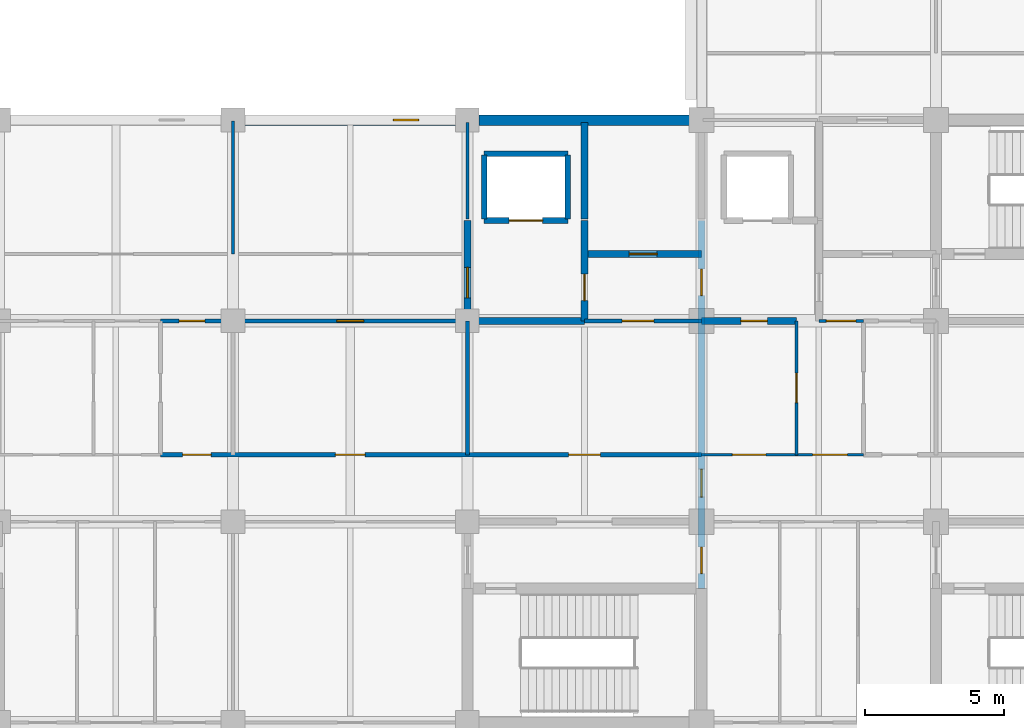
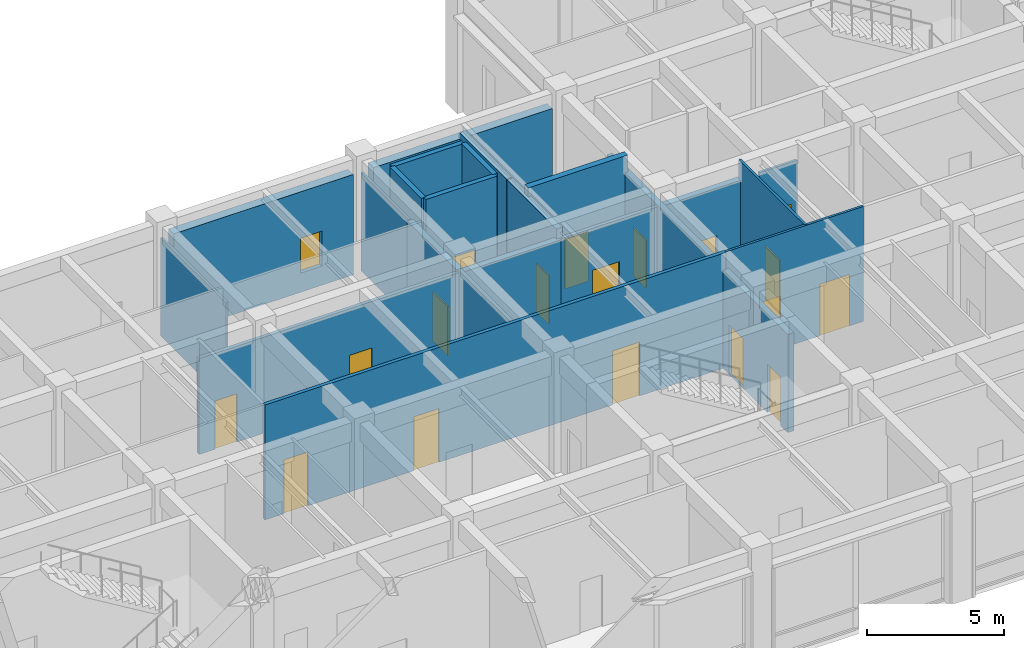
# One storey, part 44 of 68: 22 walls, 18 doors, 1 window, 19 openings.
"""IFC4 building model written with IfcOpenShell, lengths in metres."""

from ifc_helpers import new_model, si_unit, direction, frame, frame_2d, origin, place, context, subcontext, project, spatial, rectangle, extrude, material, layer, layer_set, type_object, element, fill, save


model = new_model("IFC4")

# Units and contexts
model_context = context("Model", 3, precision=1e-05, world=origin(), true_north=direction((0.0, 1.0)))
body_context = subcontext(model_context, "Body", "Model", "MODEL_VIEW")
ifc_project = project(units=[si_unit("LENGTHUNIT", "METRE"), si_unit("AREAUNIT", "SQUARE_METRE"), si_unit("VOLUMEUNIT", "CUBIC_METRE"), si_unit("PLANEANGLEUNIT", "RADIAN"), si_unit("MASSUNIT", "GRAM", prefix="KILO")], contexts=[model_context])

# Site, building, storey
site_placement = place(None, origin())
site = spatial("IfcSite", under=ifc_project, at=site_placement, CompositionType="ELEMENT")
building_placement = place(site_placement, origin())
building = spatial("IfcBuilding", under=site, at=building_placement, Name="Chengyuan Square Courthouse", CompositionType="ELEMENT")
storey_placement = place(building_placement, frame((0.0, 0.0, 5.39990234375)))
storey = spatial("IfcBuildingStorey", under=building, at=storey_placement, Name="L02", CompositionType="ELEMENT", Elevation=5.39990234375)

# Wall, opening, window
ifc_material_1 = material(Name="Concrete C40", Category="concrete")
ifc_layer_1 = layer(ifc_material_1, 0.3798828125)
ifc_layer_set_1 = layer_set([ifc_layer_1], Name="Concrete C40")
wall_type_1 = type_object("IfcWallType", Name="WL-EW1", PredefinedType="STANDARD", material=ifc_layer_set_1)
wall_1_placement = place(storey_placement, frame((34.02001953125, 108.0, 0.0), z_axis=(0.0, 0.0, 1.0), x_axis=(1.0, 0.0, 0.0)))
wall_1 = element("IfcWall", 1, at=wall_1_placement, inside=storey, type_object=wall_type_1, Name="Exterior Wall WL-L02-E225", PredefinedType="STANDARD", context=body_context, shape_type="SweptSolid", body=[
    extrude(rectangle(XDim=7.56005859375, YDim=0.3798828125, at=frame_2d((3.780029296875, 0.0))), origin(), (0.0, 0.0, 1.0), 4.47021484375),
])
opening_1_placement = place(wall_1_placement, frame((5.330078125, 0.0, 0.85009765625)))
opening_1 = element("IfcOpeningElement", 2, at=opening_1_placement, cuts=wall_1, Name="Opening WN-038", PredefinedType="OPENING", context=body_context, shape_type="SweptSolid", body=[
    extrude(rectangle(XDim=0.89990234375, YDim=1.56005859375, at=frame_2d((0.449951171875, 0.780029296875))), frame((0.0, 0.201904296875, 0.0), z_axis=(0.0, -1.0, 0.0), x_axis=(1.0, 0.0, 0.0)), (0.0, 0.0, 1.0), 0.40380859375),
])
ifc_material_2 = material(Name="Thermally Broken Aluminium Triple Low-E Window", Category="aluminium")
window_type = type_object("IfcWindowType", Name="WT-03", PartitioningType="SINGLE_PANEL", PredefinedType="WINDOW", material=ifc_material_2)
window_placement = place(opening_1_placement, origin())
window = element("IfcWindow", 3, at=window_placement, inside=storey, type_object=window_type, Name="Facade Window WN-038", OverallHeight=1.56005859375, OverallWidth=0.89990234375, PartitioningType="SINGLE_PANEL", PredefinedType="WINDOW", context=body_context, shape_type="SweptSolid", body=[
    extrude(rectangle(XDim=0.89990234375, YDim=1.56005859375, at=frame_2d((0.449951171875, 0.780029296875))), frame((0.0, 0.030029296875, 0.0), z_axis=(0.0, -1.0, 0.0), x_axis=(1.0, 0.0, 0.0)), (0.0, 0.0, 1.0), 0.06005859375),
])
fill(opening_1, window)

# Walls
wall_2_placement = place(storey_placement, frame((42.419921875, 108.0, 0.0), z_axis=(0.0, 0.0, 1.0), x_axis=(1.0, 0.0, 0.0)))
element("IfcWall", 4, at=wall_2_placement, inside=storey, type_object=wall_type_1, Name="Exterior Wall WL-L02-E226", PredefinedType="STANDARD", context=body_context, shape_type="SweptSolid", body=[
    extrude(rectangle(XDim=7.53515625, YDim=0.3798828125, at=frame_2d((3.767578125, 0.0))), origin(), (0.0, 0.0, 1.0), 4.47021484375),
])
ifc_layer_2 = layer(ifc_material_1, 0.25)
ifc_layer_set_2 = layer_set([ifc_layer_2], Name="Concrete C40")
wall_type_2 = type_object("IfcWallType", Name="WL-FW1", PredefinedType="STANDARD", material=ifc_layer_set_2)
wall_3_placement = place(storey_placement, frame((42.0, 100.800048828125, 0.0), z_axis=(0.0, 0.0, 1.0), x_axis=(1.0, 0.0, 0.0)))
element("IfcWall", 5, at=wall_3_placement, inside=storey, type_object=wall_type_2, Name="Interior Wall WL-L02-I1130", PredefinedType="STANDARD", context=body_context, shape_type="SweptSolid", body=[
    extrude(rectangle(XDim=4.199951171875, YDim=0.25, at=frame_2d((2.10009765625, 0.0))), origin(), (0.0, 0.0, 1.0), 4.27001953125),
])

# Wall, opening, door
wall_4_placement = place(storey_placement, frame((50.39990234375, 100.800048828125, 0.0), z_axis=(0.0, 0.0, 1.0), x_axis=(1.0, 0.0, 0.0)))
wall_4 = element("IfcWall", 6, at=wall_4_placement, inside=storey, type_object=wall_type_2, Name="Interior Wall WL-L02-I1132", PredefinedType="STANDARD", context=body_context, shape_type="SweptSolid", body=[
    extrude(rectangle(XDim=3.400146484375, YDim=0.25, at=frame_2d((1.7001953125, 0.0))), origin(), (0.0, 0.0, 1.0), 4.27001953125),
])
opening_2_placement = place(wall_4_placement, frame((1.409912109375, 0.0, 0.0)))
opening_2 = element("IfcOpeningElement", 7, at=opening_2_placement, cuts=wall_4, Name="Opening DR-1065", PredefinedType="OPENING", context=body_context, shape_type="SweptSolid", body=[
    extrude(rectangle(XDim=0.949951171875, YDim=2.14990234375, at=frame_2d((0.47509765625, 1.074951171875))), frame((0.0, 0.136962890625, 0.0), z_axis=(0.0, -1.0, 0.0), x_axis=(1.0, 0.0, 0.0)), (0.0, 0.0, 1.0), 0.27392578125),
])
ifc_material_3 = material(Name="Steel Q235B Fire Door", Category="steel")
door_type_1 = type_object("IfcDoorType", Name="DT-12", OperationType="NOTDEFINED", PredefinedType="DOOR", material=ifc_material_3)
door_1_placement = place(opening_2_placement, origin())
door_1 = element("IfcDoor", 8, at=door_1_placement, inside=storey, type_object=door_type_1, Name="Interior Door DR-1065", OperationType="SINGLE_SWING_RIGHT", OverallHeight=2.14990234375, OverallWidth=0.949951171875, PredefinedType="DOOR", context=body_context, shape_type="SweptSolid", body=[
    extrude(rectangle(XDim=0.949951171875, YDim=2.14990234375, at=frame_2d((0.47509765625, 1.074951171875))), frame((0.0, 0.02490234375, 0.0), z_axis=(0.0, -1.0, 0.0), x_axis=(1.0, 0.0, 0.0)), (0.0, 0.0, 1.0), 0.050048828125),
])
fill(opening_2, door_1)

wall_5_placement = place(storey_placement, frame((46.199951171875, 103.199951171875, 0.0), z_axis=(0.0, 0.0, 1.0), x_axis=(1.0, 0.0, 0.0)))
wall_5 = element("IfcWall", 9, at=wall_5_placement, inside=storey, type_object=wall_type_2, Name="Interior Wall WL-L02-I1153", PredefinedType="STANDARD", context=body_context, shape_type="SweptSolid", body=[
    extrude(rectangle(XDim=4.199951171875, YDim=0.25, at=frame_2d((2.10009765625, 0.0))), origin(), (0.0, 0.0, 1.0), 5.1201171875),
])
opening_3_placement = place(wall_5_placement, frame((1.60009765625, 0.0, 0.0)))
opening_3 = element("IfcOpeningElement", 10, at=opening_3_placement, cuts=wall_5, Name="Opening DR-1049", PredefinedType="OPENING", context=body_context, shape_type="SweptSolid", body=[
    extrude(rectangle(XDim=1.0, YDim=2.199951171875, at=frame_2d((0.5, 1.10009765625))), frame((0.0, 0.136962890625, 0.0), z_axis=(0.0, -1.0, 0.0), x_axis=(1.0, 0.0, 0.0)), (0.0, 0.0, 1.0), 0.27392578125),
])
door_type_2 = type_object("IfcDoorType", Name="DT-11", OperationType="NOTDEFINED", PredefinedType="DOOR", material=ifc_material_3)
door_2_placement = place(opening_3_placement, origin())
door_2 = element("IfcDoor", 11, at=door_2_placement, inside=storey, type_object=door_type_2, Name="Interior Door DR-1049", OperationType="SINGLE_SWING_LEFT", OverallHeight=2.199951171875, OverallWidth=1.0, PredefinedType="DOOR", context=body_context, shape_type="SweptSolid", body=[
    extrude(rectangle(XDim=1.0, YDim=2.199951171875, at=frame_2d((0.5, 1.10009765625))), frame((0.0, 0.02490234375, 0.0), z_axis=(0.0, -1.0, 0.0), x_axis=(1.0, 0.0, 0.0)), (0.0, 0.0, 1.0), 0.050048828125),
])
fill(opening_3, door_2)

wall_6_placement = place(storey_placement, frame((42.0, 100.800048828125, 0.0), z_axis=(0.0, 0.0, 1.0), x_axis=(0.0, 1.0, 0.0)))
wall_6 = element("IfcWall", 12, at=wall_6_placement, inside=storey, type_object=wall_type_2, Name="Interior Wall WL-L02-I1237", PredefinedType="STANDARD", context=body_context, shape_type="SweptSolid", body=[
    extrude(rectangle(XDim=3.599853515625, YDim=0.25, at=frame_2d((1.7998046875, 0.0))), origin(), (0.0, 0.0, 1.0), 4.3701171875),
])
opening_4_placement = place(wall_6_placement, frame((0.822509765625, 0.0, 0.0)))
opening_4 = element("IfcOpeningElement", 13, at=opening_4_placement, cuts=wall_6, Name="Opening DR-1048", PredefinedType="OPENING", context=body_context, shape_type="SweptSolid", body=[
    extrude(rectangle(XDim=1.10009765625, YDim=2.199951171875, at=frame_2d((0.550048828125, 1.10009765625))), frame((0.0, 0.136962890625, 0.0), z_axis=(0.0, -1.0, 0.0), x_axis=(1.0, 0.0, 0.0)), (0.0, 0.0, 1.0), 0.27392578125),
])
door_type_3 = type_object("IfcDoorType", Name="DT-10", OperationType="NOTDEFINED", PredefinedType="DOOR", material=ifc_material_3)
door_3_placement = place(opening_4_placement, origin())
door_3 = element("IfcDoor", 14, at=door_3_placement, inside=storey, type_object=door_type_3, Name="Interior Door DR-1048", OperationType="SINGLE_SWING_RIGHT", OverallHeight=2.199951171875, OverallWidth=1.10009765625, PredefinedType="DOOR", context=body_context, shape_type="SweptSolid", body=[
    extrude(rectangle(XDim=1.10009765625, YDim=2.199951171875, at=frame_2d((0.550048828125, 1.10009765625))), frame((0.0, 0.02490234375, 0.0), z_axis=(0.0, -1.0, 0.0), x_axis=(1.0, 0.0, 0.0)), (0.0, 0.0, 1.0), 0.050048828125),
])
fill(opening_4, door_3)

wall_7_placement = place(storey_placement, frame((46.199951171875, 100.800048828125, 0.0), z_axis=(0.0, 0.0, 1.0), x_axis=(0.0, 1.0, 0.0)))
wall_7 = element("IfcWall", 15, at=wall_7_placement, inside=storey, type_object=wall_type_2, Name="Interior Wall WL-L02-I1241", PredefinedType="STANDARD", context=body_context, shape_type="SweptSolid", body=[
    extrude(rectangle(XDim=3.599853515625, YDim=0.25, at=frame_2d((1.7998046875, 0.0))), origin(), (0.0, 0.0, 1.0), 4.72021484375),
])
opening_5_placement = place(wall_7_placement, frame((0.72509765625, 0.0, 0.0)))
opening_5 = element("IfcOpeningElement", 16, at=opening_5_placement, cuts=wall_7, Name="Opening DR-1047", PredefinedType="OPENING", context=body_context, shape_type="SweptSolid", body=[
    extrude(rectangle(XDim=0.949951171875, YDim=2.14990234375, at=frame_2d((0.47509765625, 1.074951171875))), frame((0.0, 0.136962890625, 0.0), z_axis=(0.0, -1.0, 0.0), x_axis=(1.0, 0.0, 0.0)), (0.0, 0.0, 1.0), 0.27392578125),
])
door_4_placement = place(opening_5_placement, origin())
door_4 = element("IfcDoor", 17, at=door_4_placement, inside=storey, type_object=door_type_1, Name="Interior Door DR-1047", OperationType="SINGLE_SWING_LEFT", OverallHeight=2.14990234375, OverallWidth=0.949951171875, PredefinedType="DOOR", context=body_context, shape_type="SweptSolid", body=[
    extrude(rectangle(XDim=0.949951171875, YDim=2.14990234375, at=frame_2d((0.47509765625, 1.074951171875))), frame((0.0, 0.02490234375, 0.0), z_axis=(0.0, -1.0, 0.0), x_axis=(1.0, 0.0, 0.0)), (0.0, 0.0, 1.0), 0.050048828125),
])
fill(opening_5, door_4)

# Wall
wall_8_placement = place(storey_placement, frame((46.199951171875, 104.449951171875, 0.0), z_axis=(0.0, 0.0, 1.0), x_axis=(0.0, 1.0, 0.0)))
element("IfcWall", 18, at=wall_8_placement, inside=storey, type_object=wall_type_2, Name="Interior Wall WL-L02-I1242", PredefinedType="STANDARD", context=body_context, shape_type="SweptSolid", body=[
    extrude(rectangle(XDim=3.4599609375, YDim=0.25, at=frame_2d((1.72998046875, 0.0))), origin(), (0.0, 0.0, 1.0), 4.72021484375),
])

# Wall, openings, doors
wall_9_placement = place(storey_placement, frame((50.39990234375, 91.199951171875, 0.0), z_axis=(0.0, 0.0, 1.0), x_axis=(0.0, 1.0, 0.0)))
wall_9 = element("IfcWall", 19, at=wall_9_placement, inside=storey, type_object=wall_type_2, Name="Interior Wall WL-L02-I1245", PredefinedType="STANDARD", context=body_context, shape_type="SweptSolid", body=[
    extrude(rectangle(XDim=13.199951171875, YDim=0.25, at=frame_2d((6.60009765625, 0.0))), origin(), (0.0, 0.0, 1.0), 4.3701171875),
])
opening_6_placement = place(wall_9_placement, frame((0.5400390625, 0.0, 0.0)))
opening_6 = element("IfcOpeningElement", 20, at=opening_6_placement, cuts=wall_9, Name="Opening DR-1023", PredefinedType="OPENING", context=body_context, shape_type="SweptSolid", body=[
    extrude(rectangle(XDim=0.949951171875, YDim=2.14990234375, at=frame_2d((0.47509765625, 1.074951171875))), frame((0.0, 0.136962890625, 0.0), z_axis=(0.0, -1.0, 0.0), x_axis=(1.0, 0.0, 0.0)), (0.0, 0.0, 1.0), 0.27392578125),
])
opening_7_placement = place(wall_9_placement, frame((10.510009765625, 0.0, 0.0)))
opening_7 = element("IfcOpeningElement", 21, at=opening_7_placement, cuts=wall_9, Name="Opening DR-1050", PredefinedType="OPENING", context=body_context, shape_type="SweptSolid", body=[
    extrude(rectangle(XDim=0.949951171875, YDim=2.14990234375, at=frame_2d((0.47509765625, 1.074951171875))), frame((0.0, 0.136962890625, 0.0), z_axis=(0.0, -1.0, 0.0), x_axis=(1.0, 0.0, 0.0)), (0.0, 0.0, 1.0), 0.27392578125),
])
opening_8_placement = place(wall_9_placement, frame((3.284912109375, 0.0, 0.0)))
opening_8 = element("IfcOpeningElement", 22, at=opening_8_placement, cuts=wall_9, Name="Opening DR-1109", PredefinedType="OPENING", context=body_context, shape_type="SweptSolid", body=[
    extrude(rectangle(XDim=1.0, YDim=2.199951171875, at=frame_2d((0.5, 1.10009765625))), frame((0.0, 0.136962890625, 0.0), z_axis=(0.0, -1.0, 0.0), x_axis=(1.0, 0.0, 0.0)), (0.0, 0.0, 1.0), 0.27392578125),
])
door_5_placement = place(opening_8_placement, origin())
door_5 = element("IfcDoor", 23, at=door_5_placement, inside=storey, type_object=door_type_2, Name="Interior Door DR-1109", OperationType="SINGLE_SWING_LEFT", OverallHeight=2.199951171875, OverallWidth=1.0, PredefinedType="DOOR", context=body_context, shape_type="SweptSolid", body=[
    extrude(rectangle(XDim=1.0, YDim=2.199951171875, at=frame_2d((0.5, 1.10009765625))), frame((0.0, 0.02490234375, 0.0), z_axis=(0.0, -1.0, 0.0), x_axis=(1.0, 0.0, 0.0)), (0.0, 0.0, 1.0), 0.050048828125),
])
fill(opening_8, door_5)
door_6_placement = place(opening_6_placement, origin())
door_6 = element("IfcDoor", 24, at=door_6_placement, inside=storey, type_object=door_type_1, Name="Interior Door DR-1023", OperationType="SINGLE_SWING_RIGHT", OverallHeight=2.14990234375, OverallWidth=0.949951171875, PredefinedType="DOOR", context=body_context, shape_type="SweptSolid", body=[
    extrude(rectangle(XDim=0.949951171875, YDim=2.14990234375, at=frame_2d((0.47509765625, 1.074951171875))), frame((0.0, 0.02490234375, 0.0), z_axis=(0.0, -1.0, 0.0), x_axis=(1.0, 0.0, 0.0)), (0.0, 0.0, 1.0), 0.050048828125),
])
fill(opening_6, door_6)
door_7_placement = place(opening_7_placement, origin())
door_7 = element("IfcDoor", 25, at=door_7_placement, inside=storey, type_object=door_type_1, Name="Interior Door DR-1050", OperationType="SINGLE_SWING_RIGHT", OverallHeight=2.14990234375, OverallWidth=0.949951171875, PredefinedType="DOOR", context=body_context, shape_type="SweptSolid", body=[
    extrude(rectangle(XDim=0.949951171875, YDim=2.14990234375, at=frame_2d((0.47509765625, 1.074951171875))), frame((0.0, 0.02490234375, 0.0), z_axis=(0.0, -1.0, 0.0), x_axis=(1.0, 0.0, 0.0)), (0.0, 0.0, 1.0), 0.050048828125),
])
fill(opening_7, door_7)

ifc_material_4 = material(Name="Deliberation Room Sound-Insulated Partition")
ifc_layer_3 = layer(ifc_material_4, 0.14990234375)
ifc_layer_set_3 = layer_set([ifc_layer_3], Name="Deliberation Room Sound-Insulated Partition")
wall_type_3 = type_object("IfcWallType", Name="WL-PT3", PredefinedType="STANDARD", material=ifc_layer_set_3)
wall_10_placement = place(storey_placement, frame((31.0, 96.0, 0.0), z_axis=(0.0, 0.0, 1.0), x_axis=(1.0, 0.0, 0.0)))
wall_10 = element("IfcWall", 26, at=wall_10_placement, inside=storey, type_object=wall_type_3, Name="Interior Wall WL-L02-I1114", PredefinedType="STANDARD", context=body_context, shape_type="SweptSolid", body=[
    extrude(rectangle(XDim=19.39990234375, YDim=0.14990234375, at=frame_2d((9.699951171875, 0.0))), origin(), (0.0, 0.0, 1.0), 5.1201171875),
])
opening_9_placement = place(wall_10_placement, frame((0.7900390625, 0.0, 0.0)))
opening_9 = element("IfcOpeningElement", 27, at=opening_9_placement, cuts=wall_10, Name="Opening DR-1117", PredefinedType="OPENING", context=body_context, shape_type="SweptSolid", body=[
    extrude(rectangle(XDim=1.02001953125, YDim=2.39990234375, at=frame_2d((0.510009765625, 1.199951171875))), frame((0.0, 0.0869140625, 0.0), z_axis=(0.0, -1.0, 0.0), x_axis=(1.0, 0.0, 0.0)), (0.0, 0.0, 1.0), 0.173828125),
])
opening_10_placement = place(wall_10_placement, frame((6.27001953125, 0.0, 0.0)))
opening_10 = element("IfcOpeningElement", 28, at=opening_10_placement, cuts=wall_10, Name="Opening DR-1118", PredefinedType="OPENING", context=body_context, shape_type="SweptSolid", body=[
    extrude(rectangle(XDim=1.06005859375, YDim=2.39990234375, at=frame_2d((0.530029296875, 1.199951171875))), frame((0.0, 0.0869140625, 0.0), z_axis=(0.0, -1.0, 0.0), x_axis=(1.0, 0.0, 0.0)), (0.0, 0.0, 1.0), 0.173828125),
])
opening_11_placement = place(wall_10_placement, frame((14.6298828125, 0.0, 0.0)))
opening_11 = element("IfcOpeningElement", 29, at=opening_11_placement, cuts=wall_10, Name="Opening DR-1119", PredefinedType="OPENING", context=body_context, shape_type="SweptSolid", body=[
    extrude(rectangle(XDim=1.139892578125, YDim=2.39990234375, at=frame_2d((0.56982421875, 1.199951171875))), frame((0.0, 0.0869140625, 0.0), z_axis=(0.0, -1.0, 0.0), x_axis=(1.0, 0.0, 0.0)), (0.0, 0.0, 1.0), 0.173828125),
])
ifc_material_5 = material(Name="Acoustic Solid-Core Timber Door", Category="wood")
door_type_4 = type_object("IfcDoorType", Name="DT-41", OperationType="NOTDEFINED", PredefinedType="DOOR", material=ifc_material_5)
door_8_placement = place(opening_9_placement, origin())
door_8 = element("IfcDoor", 30, at=door_8_placement, inside=storey, type_object=door_type_4, Name="Interior Door DR-1117", OperationType="SINGLE_SWING_LEFT", OverallHeight=2.39990234375, OverallWidth=1.02001953125, PredefinedType="DOOR", context=body_context, shape_type="SweptSolid", body=[
    extrude(rectangle(XDim=1.02001953125, YDim=2.39990234375, at=frame_2d((0.510009765625, 1.199951171875))), frame((0.0, 0.02490234375, 0.0), z_axis=(0.0, -1.0, 0.0), x_axis=(1.0, 0.0, 0.0)), (0.0, 0.0, 1.0), 0.050048828125),
])
fill(opening_9, door_8)
door_type_5 = type_object("IfcDoorType", Name="DT-42", OperationType="NOTDEFINED", PredefinedType="DOOR", material=ifc_material_5)
door_9_placement = place(opening_10_placement, origin())
door_9 = element("IfcDoor", 31, at=door_9_placement, inside=storey, type_object=door_type_5, Name="Interior Door DR-1118", OperationType="SINGLE_SWING_RIGHT", OverallHeight=2.39990234375, OverallWidth=1.06005859375, PredefinedType="DOOR", context=body_context, shape_type="SweptSolid", body=[
    extrude(rectangle(XDim=1.06005859375, YDim=2.39990234375, at=frame_2d((0.530029296875, 1.199951171875))), frame((0.0, 0.02490234375, 0.0), z_axis=(0.0, -1.0, 0.0), x_axis=(1.0, 0.0, 0.0)), (0.0, 0.0, 1.0), 0.050048828125),
])
fill(opening_10, door_9)
door_type_6 = type_object("IfcDoorType", Name="DT-43", OperationType="NOTDEFINED", PredefinedType="DOOR", material=ifc_material_5)
door_10_placement = place(opening_11_placement, origin())
door_10 = element("IfcDoor", 32, at=door_10_placement, inside=storey, type_object=door_type_6, Name="Interior Door DR-1119", OperationType="SINGLE_SWING_LEFT", OverallHeight=2.39990234375, OverallWidth=1.139892578125, PredefinedType="DOOR", context=body_context, shape_type="SweptSolid", body=[
    extrude(rectangle(XDim=1.139892578125, YDim=2.39990234375, at=frame_2d((0.56982421875, 1.199951171875))), frame((0.0, 0.02490234375, 0.0), z_axis=(0.0, -1.0, 0.0), x_axis=(1.0, 0.0, 0.0)), (0.0, 0.0, 1.0), 0.050048828125),
])
fill(opening_11, door_10)

wall_11_placement = place(storey_placement, frame((31.0, 100.800048828125, 0.0), z_axis=(0.0, 0.0, 1.0), x_axis=(1.0, 0.0, 0.0)))
wall_11 = element("IfcWall", 33, at=wall_11_placement, inside=storey, type_object=wall_type_3, Name="Interior Wall WL-L02-I1129", PredefinedType="STANDARD", context=body_context, shape_type="SweptSolid", body=[
    extrude(rectangle(XDim=11.0, YDim=0.14990234375, at=frame_2d((5.5, 0.0))), origin(), (0.0, 0.0, 1.0), 4.27001953125),
])
opening_12_placement = place(wall_11_placement, frame((0.66748046875, 0.0, 0.0)))
opening_12 = element("IfcOpeningElement", 34, at=opening_12_placement, cuts=wall_11, Name="Opening DR-1088", PredefinedType="OPENING", context=body_context, shape_type="SweptSolid", body=[
    extrude(rectangle(XDim=0.919921875, YDim=2.14990234375, at=frame_2d((0.4599609375, 1.074951171875))), frame((0.0, 0.0869140625, 0.0), z_axis=(0.0, -1.0, 0.0), x_axis=(1.0, 0.0, 0.0)), (0.0, 0.0, 1.0), 0.173828125),
])
opening_13_placement = place(wall_11_placement, frame((6.320068359375, 0.0, 0.0)))
opening_13 = element("IfcOpeningElement", 35, at=opening_13_placement, cuts=wall_11, Name="Opening DR-1089", PredefinedType="OPENING", context=body_context, shape_type="SweptSolid", body=[
    extrude(rectangle(XDim=0.9599609375, YDim=2.199951171875, at=frame_2d((0.47998046875, 1.10009765625))), frame((0.0, 0.0869140625, 0.0), z_axis=(0.0, -1.0, 0.0), x_axis=(1.0, 0.0, 0.0)), (0.0, 0.0, 1.0), 0.173828125),
])
door_type_7 = type_object("IfcDoorType", Name="DT-29", OperationType="NOTDEFINED", PredefinedType="DOOR", material=ifc_material_5)
door_11_placement = place(opening_12_placement, origin())
door_11 = element("IfcDoor", 36, at=door_11_placement, inside=storey, type_object=door_type_7, Name="Interior Door DR-1088", OperationType="SINGLE_SWING_LEFT", OverallHeight=2.14990234375, OverallWidth=0.919921875, PredefinedType="DOOR", context=body_context, shape_type="SweptSolid", body=[
    extrude(rectangle(XDim=0.919921875, YDim=2.14990234375, at=frame_2d((0.4599609375, 1.074951171875))), frame((0.0, 0.02490234375, 0.0), z_axis=(0.0, -1.0, 0.0), x_axis=(1.0, 0.0, 0.0)), (0.0, 0.0, 1.0), 0.050048828125),
])
fill(opening_12, door_11)
door_type_8 = type_object("IfcDoorType", Name="DT-30", OperationType="NOTDEFINED", PredefinedType="DOOR", material=ifc_material_5)
door_12_placement = place(opening_13_placement, origin())
door_12 = element("IfcDoor", 37, at=door_12_placement, inside=storey, type_object=door_type_8, Name="Interior Door DR-1089", OperationType="SINGLE_SWING_RIGHT", OverallHeight=2.199951171875, OverallWidth=0.9599609375, PredefinedType="DOOR", context=body_context, shape_type="SweptSolid", body=[
    extrude(rectangle(XDim=0.9599609375, YDim=2.199951171875, at=frame_2d((0.47998046875, 1.10009765625))), frame((0.0, 0.02490234375, 0.0), z_axis=(0.0, -1.0, 0.0), x_axis=(1.0, 0.0, 0.0)), (0.0, 0.0, 1.0), 0.050048828125),
])
fill(opening_13, door_12)

# Wall, opening, door
wall_12_placement = place(storey_placement, frame((46.199951171875, 100.800048828125, 0.0), z_axis=(0.0, 0.0, 1.0), x_axis=(1.0, 0.0, 0.0)))
wall_12 = element("IfcWall", 38, at=wall_12_placement, inside=storey, type_object=wall_type_3, Name="Interior Wall WL-L02-I1131", PredefinedType="STANDARD", context=body_context, shape_type="SweptSolid", body=[
    extrude(rectangle(XDim=4.199951171875, YDim=0.14990234375, at=frame_2d((2.10009765625, 0.0))), origin(), (0.0, 0.0, 1.0), 4.27001953125),
])
opening_14_placement = place(wall_12_placement, frame((1.344970703125, 0.0, 0.0)))
opening_14 = element("IfcOpeningElement", 39, at=opening_14_placement, cuts=wall_12, Name="Opening DR-1051", PredefinedType="OPENING", context=body_context, shape_type="SweptSolid", body=[
    extrude(rectangle(XDim=1.139892578125, YDim=2.39990234375, at=frame_2d((0.56982421875, 1.199951171875))), frame((0.0, 0.0869140625, 0.0), z_axis=(0.0, -1.0, 0.0), x_axis=(1.0, 0.0, 0.0)), (0.0, 0.0, 1.0), 0.173828125),
])
door_13_placement = place(opening_14_placement, origin())
door_13 = element("IfcDoor", 40, at=door_13_placement, inside=storey, type_object=door_type_6, Name="Interior Door DR-1051", OperationType="SINGLE_SWING_LEFT", OverallHeight=2.39990234375, OverallWidth=1.139892578125, PredefinedType="DOOR", context=body_context, shape_type="SweptSolid", body=[
    extrude(rectangle(XDim=1.139892578125, YDim=2.39990234375, at=frame_2d((0.56982421875, 1.199951171875))), frame((0.0, 0.02490234375, 0.0), z_axis=(0.0, -1.0, 0.0), x_axis=(1.0, 0.0, 0.0)), (0.0, 0.0, 1.0), 0.050048828125),
])
fill(opening_14, door_13)

# Wall
wall_13_placement = place(storey_placement, frame((42.0, 96.0, 0.0), z_axis=(0.0, 0.0, 1.0), x_axis=(0.0, 1.0, 0.0)))
element("IfcWall", 41, at=wall_13_placement, inside=storey, type_object=wall_type_3, Name="Interior Wall WL-L02-I1236", PredefinedType="STANDARD", context=body_context, shape_type="SweptSolid", body=[
    extrude(rectangle(XDim=4.800048828125, YDim=0.14990234375, at=frame_2d((2.39990234375, 0.0))), origin(), (0.0, 0.0, 1.0), 4.3701171875),
])

# Wall, openings, doors
ifc_material_6 = material(Name="Gypsum Plasterboard Acoustic Stud Partition")
ifc_layer_4 = layer(ifc_material_6, 0.10009765625)
ifc_layer_set_4 = layer_set([ifc_layer_4], Name="Gypsum Plasterboard Acoustic Stud Partition")
wall_type_4 = type_object("IfcWallType", Name="WL-PT6", PredefinedType="STANDARD", material=ifc_layer_set_4)
wall_14_placement = place(storey_placement, frame((50.39990234375, 96.0, 0.0), z_axis=(0.0, 0.0, 1.0), x_axis=(1.0, 0.0, 0.0)))
wall_14 = element("IfcWall", 42, at=wall_14_placement, inside=storey, type_object=wall_type_4, Name="Interior Wall WL-L02-I1115", PredefinedType="STANDARD", context=body_context, shape_type="SweptSolid", body=[
    extrude(rectangle(XDim=5.800048828125, YDim=0.10009765625, at=frame_2d((2.89990234375, 0.0))), origin(), (0.0, 0.0, 1.0), 5.1201171875),
])
opening_15_placement = place(wall_14_placement, frame((1.10009765625, 0.0, 0.0)))
opening_15 = element("IfcOpeningElement", 43, at=opening_15_placement, cuts=wall_14, Name="Opening DR-1129", PredefinedType="OPENING", context=body_context, shape_type="SweptSolid", body=[
    extrude(rectangle(XDim=1.199951171875, YDim=2.35009765625, at=frame_2d((0.60009765625, 1.175048828125))), frame((0.0, 0.06201171875, 0.0), z_axis=(0.0, -1.0, 0.0), x_axis=(1.0, 0.0, 0.0)), (0.0, 0.0, 1.0), 0.1240234375),
])
opening_16_placement = place(wall_14_placement, frame((3.97998046875, 0.0, 0.0)))
opening_16 = element("IfcOpeningElement", 44, at=opening_16_placement, cuts=wall_14, Name="Opening DR-1130", PredefinedType="OPENING", context=body_context, shape_type="SweptSolid", body=[
    extrude(rectangle(XDim=1.239990234375, YDim=2.300048828125, at=frame_2d((0.6201171875, 1.14990234375))), frame((0.0, 0.06201171875, 0.0), z_axis=(0.0, -1.0, 0.0), x_axis=(1.0, 0.0, 0.0)), (0.0, 0.0, 1.0), 0.1240234375),
])
door_type_9 = type_object("IfcDoorType", Name="DT-36", OperationType="NOTDEFINED", PredefinedType="DOOR", material=ifc_material_5)
door_14_placement = place(opening_15_placement, origin())
door_14 = element("IfcDoor", 45, at=door_14_placement, inside=storey, type_object=door_type_9, Name="Interior Door DR-1129", OperationType="SINGLE_SWING_LEFT", OverallHeight=2.35009765625, OverallWidth=1.199951171875, PredefinedType="DOOR", context=body_context, shape_type="SweptSolid", body=[
    extrude(rectangle(XDim=1.199951171875, YDim=2.35009765625, at=frame_2d((0.60009765625, 1.175048828125))), frame((0.0, 0.02490234375, 0.0), z_axis=(0.0, -1.0, 0.0), x_axis=(1.0, 0.0, 0.0)), (0.0, 0.0, 1.0), 0.050048828125),
])
fill(opening_15, door_14)
door_type_10 = type_object("IfcDoorType", Name="DT-37", OperationType="NOTDEFINED", PredefinedType="DOOR", material=ifc_material_5)
door_15_placement = place(opening_16_placement, origin())
door_15 = element("IfcDoor", 46, at=door_15_placement, inside=storey, type_object=door_type_10, Name="Interior Door DR-1130", OperationType="SINGLE_SWING_RIGHT", OverallHeight=2.300048828125, OverallWidth=1.239990234375, PredefinedType="DOOR", context=body_context, shape_type="SweptSolid", body=[
    extrude(rectangle(XDim=1.239990234375, YDim=2.300048828125, at=frame_2d((0.6201171875, 1.14990234375))), frame((0.0, 0.02490234375, 0.0), z_axis=(0.0, -1.0, 0.0), x_axis=(1.0, 0.0, 0.0)), (0.0, 0.0, 1.0), 0.050048828125),
])
fill(opening_16, door_15)

# Wall, opening, door
wall_15_placement = place(storey_placement, frame((54.60009765625, 100.800048828125, 0.0), z_axis=(0.0, 0.0, 1.0), x_axis=(1.0, 0.0, 0.0)))
wall_15 = element("IfcWall", 47, at=wall_15_placement, inside=storey, type_object=wall_type_4, Name="Interior Wall WL-L02-I1133", PredefinedType="STANDARD", context=body_context, shape_type="SweptSolid", body=[
    extrude(rectangle(XDim=1.599853515625, YDim=0.10009765625, at=frame_2d((0.7998046875, 0.0))), origin(), (0.0, 0.0, 1.0), 4.27001953125),
])
opening_17_placement = place(wall_15_placement, frame((0.27001953125, 0.0, 0.0)))
opening_17 = element("IfcOpeningElement", 48, at=opening_17_placement, cuts=wall_15, Name="Opening DR-1067", PredefinedType="OPENING", context=body_context, shape_type="SweptSolid", body=[
    extrude(rectangle(XDim=1.06005859375, YDim=2.39990234375, at=frame_2d((0.530029296875, 1.199951171875))), frame((0.0, 0.06201171875, 0.0), z_axis=(0.0, -1.0, 0.0), x_axis=(1.0, 0.0, 0.0)), (0.0, 0.0, 1.0), 0.1240234375),
])
door_16_placement = place(opening_17_placement, origin())
door_16 = element("IfcDoor", 49, at=door_16_placement, inside=storey, type_object=door_type_5, Name="Interior Door DR-1067", OperationType="SINGLE_SWING_RIGHT", OverallHeight=2.39990234375, OverallWidth=1.06005859375, PredefinedType="DOOR", context=body_context, shape_type="SweptSolid", body=[
    extrude(rectangle(XDim=1.06005859375, YDim=2.39990234375, at=frame_2d((0.530029296875, 1.199951171875))), frame((0.0, 0.02490234375, 0.0), z_axis=(0.0, -1.0, 0.0), x_axis=(1.0, 0.0, 0.0)), (0.0, 0.0, 1.0), 0.050048828125),
])
fill(opening_17, door_16)

# Walls
wall_16_placement = place(storey_placement, frame((33.60009765625, 103.199951171875, 0.0), z_axis=(0.0, 0.0, 1.0), x_axis=(0.0, 1.0, 0.0)))
element("IfcWall", 50, at=wall_16_placement, inside=storey, type_object=wall_type_4, Name="Interior Wall WL-L02-I1232", PredefinedType="STANDARD", context=body_context, shape_type="SweptSolid", body=[
    extrude(rectangle(XDim=4.760009765625, YDim=0.10009765625, at=frame_2d((2.3798828125, 0.0))), origin(), (0.0, 0.0, 1.0), 4.3701171875),
])
wall_17_placement = place(storey_placement, frame((42.0, 104.449951171875, 0.0), z_axis=(0.0, 0.0, 1.0), x_axis=(0.0, 1.0, 0.0)))
element("IfcWall", 51, at=wall_17_placement, inside=storey, type_object=wall_type_4, Name="Interior Wall WL-L02-I1238", PredefinedType="STANDARD", context=body_context, shape_type="SweptSolid", body=[
    extrude(rectangle(XDim=3.4599609375, YDim=0.10009765625, at=frame_2d((1.72998046875, 0.0))), origin(), (0.0, 0.0, 1.0), 4.3701171875),
])

# Wall, opening, door
wall_18_placement = place(storey_placement, frame((53.800048828125, 96.0, 0.0), z_axis=(0.0, 0.0, 1.0), x_axis=(0.0, 1.0, 0.0)))
wall_18 = element("IfcWall", 52, at=wall_18_placement, inside=storey, type_object=wall_type_4, Name="Interior Wall WL-L02-I1250", PredefinedType="STANDARD", context=body_context, shape_type="SweptSolid", body=[
    extrude(rectangle(XDim=4.800048828125, YDim=0.10009765625, at=frame_2d((2.39990234375, 0.0))), origin(), (0.0, 0.0, 1.0), 5.1201171875),
])
opening_18_placement = place(wall_18_placement, frame((1.8701171875, 0.0, 0.0)))
opening_18 = element("IfcOpeningElement", 53, at=opening_18_placement, cuts=wall_18, Name="Opening DR-1169", PredefinedType="OPENING", context=body_context, shape_type="SweptSolid", body=[
    extrude(rectangle(XDim=1.06005859375, YDim=2.39990234375, at=frame_2d((0.530029296875, 1.199951171875))), frame((0.0, 0.06201171875, 0.0), z_axis=(0.0, -1.0, 0.0), x_axis=(1.0, 0.0, 0.0)), (0.0, 0.0, 1.0), 0.1240234375),
])
door_17_placement = place(opening_18_placement, origin())
door_17 = element("IfcDoor", 54, at=door_17_placement, inside=storey, type_object=door_type_5, Name="Interior Door DR-1169", OperationType="SINGLE_SWING_RIGHT", OverallHeight=2.39990234375, OverallWidth=1.06005859375, PredefinedType="DOOR", context=body_context, shape_type="SweptSolid", body=[
    extrude(rectangle(XDim=1.06005859375, YDim=2.39990234375, at=frame_2d((0.530029296875, 1.199951171875))), frame((0.0, 0.02490234375, 0.0), z_axis=(0.0, -1.0, 0.0), x_axis=(1.0, 0.0, 0.0)), (0.0, 0.0, 1.0), 0.050048828125),
])
fill(opening_18, door_17)

ifc_material_7 = material(Name="Reinforced Masonry Shaft Enclosure", Category="masonry")
ifc_layer_5 = layer(ifc_material_7, 0.199951171875)
ifc_layer_set_5 = layer_set([ifc_layer_5], Name="Reinforced Masonry Shaft Enclosure")
wall_type_5 = type_object("IfcWallType", Name="WL-SH1", PredefinedType="STANDARD", material=ifc_layer_set_5)
wall_19_placement = place(storey_placement, frame((42.60009765625, 104.39990234375, 0.0), z_axis=(0.0, 0.0, 1.0), x_axis=(1.0, 0.0, 0.0)))
wall_19 = element("IfcWall", 55, at=wall_19_placement, inside=storey, type_object=wall_type_5, Name="Interior Wall WL-L02-I1162", PredefinedType="STANDARD", context=body_context, shape_type="SweptSolid", body=[
    extrude(rectangle(XDim=3.0, YDim=0.199951171875, at=frame_2d((1.5, 0.0))), origin(), (0.0, 0.0, 1.0), 5.1201171875),
])
opening_19_placement = place(wall_19_placement, frame((0.89990234375, 0.0, 0.0)))
opening_19 = element("IfcOpeningElement", 56, at=opening_19_placement, cuts=wall_19, Name="Opening LD-039", PredefinedType="OPENING", context=body_context, shape_type="SweptSolid", body=[
    extrude(rectangle(XDim=1.199951171875, YDim=2.14990234375, at=frame_2d((0.60009765625, 1.074951171875))), frame((0.0, 0.112060546875, 0.0), z_axis=(0.0, -1.0, 0.0), x_axis=(1.0, 0.0, 0.0)), (0.0, 0.0, 1.0), 0.223876953125),
])
ifc_material_8 = material(Name="Stainless Steel S30408 Lift Landing Door", Category="steel")
door_type_11 = type_object("IfcDoorType", Name="DT-05", OperationType="DOUBLE_DOOR_SLIDING", PredefinedType="DOOR", material=ifc_material_8)
door_18_placement = place(opening_19_placement, origin())
door_18 = element("IfcDoor", 57, at=door_18_placement, inside=storey, type_object=door_type_11, Name="Lift Landing Door LF-F3 L02", OperationType="DOUBLE_DOOR_SLIDING", OverallHeight=2.14990234375, OverallWidth=1.199951171875, PredefinedType="DOOR", context=body_context, shape_type="SweptSolid", body=[
    extrude(rectangle(XDim=1.199951171875, YDim=2.14990234375, at=frame_2d((0.60009765625, 1.074951171875))), frame((0.0, 0.02490234375, 0.0), z_axis=(0.0, -1.0, 0.0), x_axis=(1.0, 0.0, 0.0)), (0.0, 0.0, 1.0), 0.050048828125),
])
fill(opening_19, door_18)

# Walls
wall_20_placement = place(storey_placement, frame((42.60009765625, 106.800048828125, 0.0), z_axis=(0.0, 0.0, 1.0), x_axis=(1.0, 0.0, 0.0)))
element("IfcWall", 58, at=wall_20_placement, inside=storey, type_object=wall_type_5, Name="Interior Wall WL-L02-I1175", PredefinedType="STANDARD", context=body_context, shape_type="SweptSolid", body=[
    extrude(rectangle(XDim=3.0, YDim=0.199951171875, at=frame_2d((1.5, 0.0))), origin(), (0.0, 0.0, 1.0), 5.1201171875),
])
for number, where, z_axis, x_axis, name in (
    (59, (42.60009765625, 104.449951171875, 0.0), (0.0, 0.0, 1.0), (0.0, 1.0, 0.0), "Interior Wall WL-L02-I1239"),
    (60, (45.60009765625, 104.449951171875, 0.0), (0.0, 0.0, 1.0), (0.0, 1.0, 0.0), "Interior Wall WL-L02-I1240"),
):
    element("IfcWall", number, at=place(storey_placement, frame(where, z_axis=z_axis, x_axis=x_axis)), inside=storey, type_object=wall_type_5, Name=name, PredefinedType="STANDARD", context=body_context, shape_type="SweptSolid", body=[
        extrude(rectangle(XDim=2.300048828125, YDim=0.199951171875, at=frame_2d((1.14990234375, 0.0))), origin(), (0.0, 0.0, 1.0), 5.1201171875),
    ])

save(model, "model.ifc")
